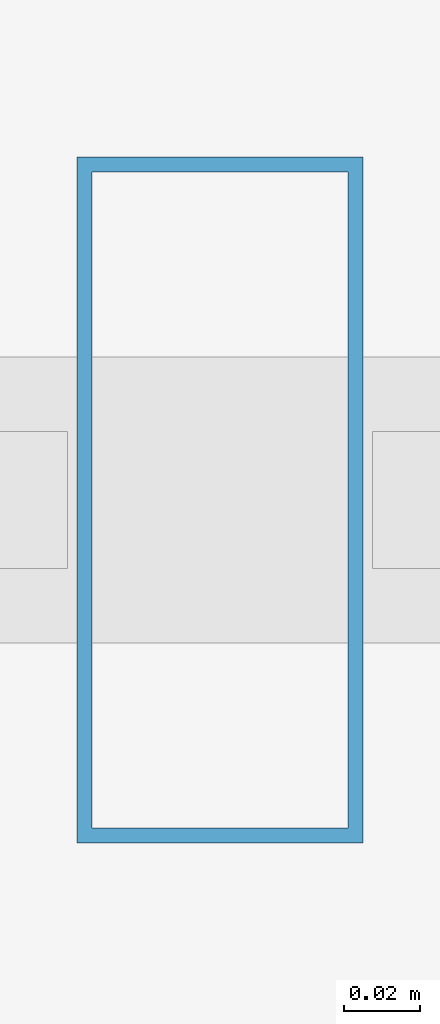
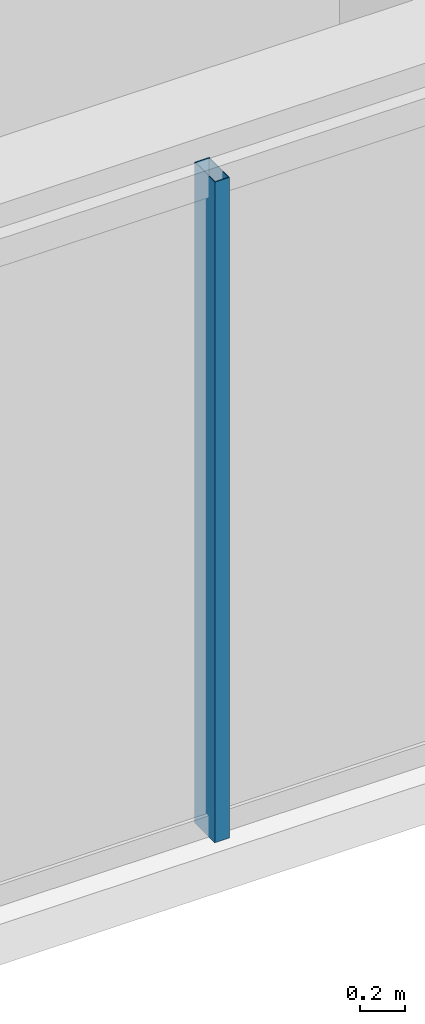
# One storey, part 4 of 32: 1 member, 1 element without a shape of its own.
"""IFC4 building model written with IfcOpenShell, lengths in metres."""

from ifc_helpers import new_model, si_unit, direction, frame, origin, origin_2d, place, context, subcontext, project, spatial, hollow_rectangle, extrude, material, layer, layer_set, material_profile, profile_set, type_object, element, aggregate, save


model = new_model("IFC4")

# Units and contexts
model_context = context("Model", 3, precision=1e-05, world=origin(), true_north=direction((0.0, 1.0)))
body_context = subcontext(model_context, "Body", "Model", "MODEL_VIEW")
ifc_project = project(units=[si_unit("LENGTHUNIT", "METRE"), si_unit("AREAUNIT", "SQUARE_METRE"), si_unit("VOLUMEUNIT", "CUBIC_METRE"), si_unit("PLANEANGLEUNIT", "RADIAN"), si_unit("MASSUNIT", "GRAM", prefix="KILO")], contexts=[model_context])

# Site, building, storey
site_placement = place(None, origin())
site = spatial("IfcSite", under=ifc_project, at=site_placement, CompositionType="ELEMENT")
building_placement = place(site_placement, origin())
building = spatial("IfcBuilding", under=site, at=building_placement, Name="Ndaravel Arena Tower", CompositionType="ELEMENT")
storey_placement = place(building_placement, frame((0.0, 0.0, 157.39990234375)))
storey = spatial("IfcBuildingStorey", under=building, at=storey_placement, Name="L37", CompositionType="ELEMENT", Elevation=157.39990234375)

# Curtain wall, member
ifc_material_1 = material(Name="Aluminium", Category="aluminium")
ifc_layer = layer(ifc_material_1, 0.179931640625)
ifc_layer_set = layer_set([ifc_layer], Name="Aluminium")
curtain_wall_type = type_object("IfcCurtainWallType", Name="CW-SYS-03", PredefinedType="NOTDEFINED", material=ifc_layer_set)
curtain_wall_placement = place(storey_placement, origin())
curtain_wall = element("IfcCurtainWall", 1, at=curtain_wall_placement, inside=storey, type_object=curtain_wall_type, Name="L37 Faceted Crystal Curtain Wall CW-L37-E01", PredefinedType="NOTDEFINED")
ifc_material_2 = material(Name="Aluminium", Category="aluminium")
ifc_material_profile = material_profile(ifc_material_2, hollow_rectangle(XDim=0.074951171875, YDim=0.179931640625, WallThickness=0.00390625, at=origin_2d()), Name="CW MULLION 75x180x4")
ifc_profile_set = profile_set([ifc_material_profile], Name="Aluminium")
member_type = type_object("IfcMemberType", Name="MEM-CW-MUL180", PredefinedType="MULLION", material=ifc_profile_set)
member_placement = place(storey_placement, frame((32.962158203125, 5.159912109375, 0.0), z_axis=(0.0, 0.0, 1.0), x_axis=(1.0, 0.0, 0.0)))
member = element("IfcMember", 2, at=member_placement, type_object=member_type, Name="CW-L37-E01 Mullion 02", PredefinedType="MULLION", context=body_context, shape_type="SweptSolid", body=[
    extrude(hollow_rectangle(XDim=0.074951171875, YDim=0.179931640625, WallThickness=0.00390625, at=origin_2d()), origin(), (0.0, 0.0, 1.0), 3.580078125),
])
aggregate(curtain_wall, [member])

save(model, "model.ifc")
